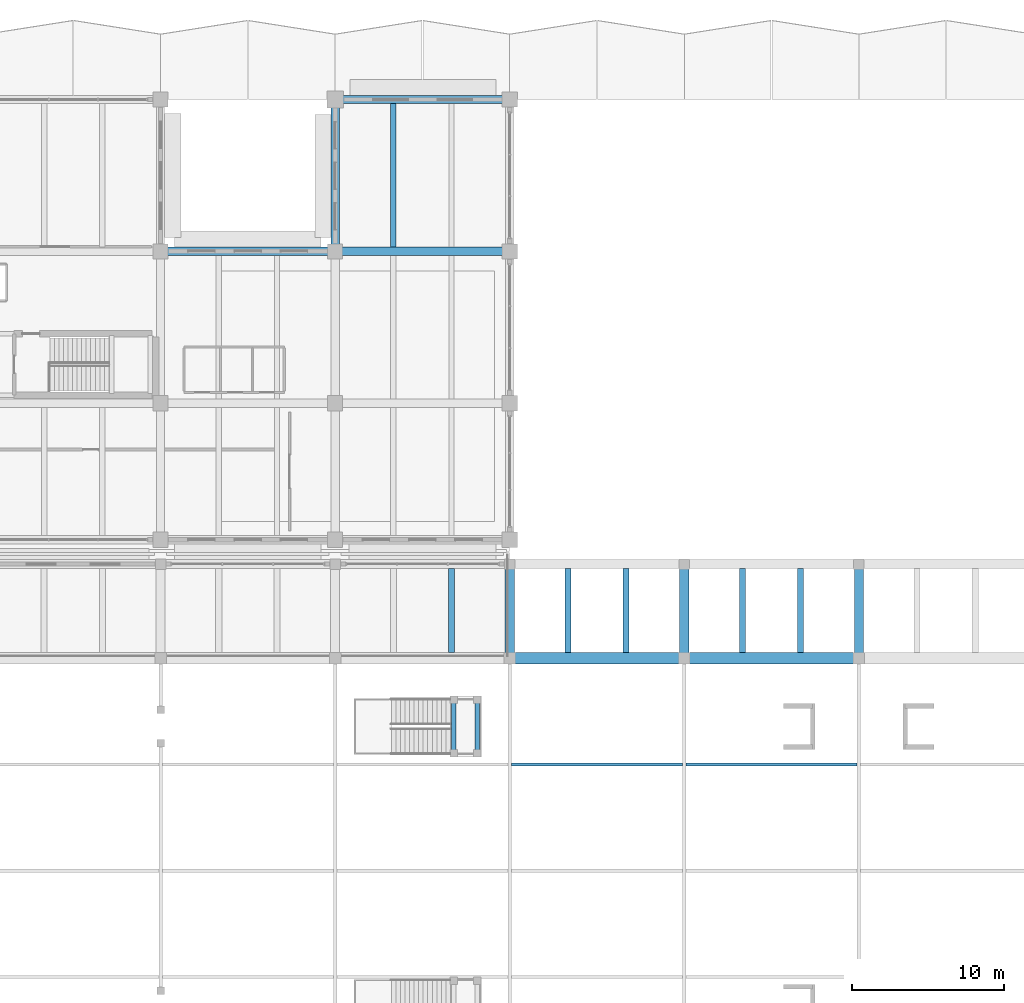
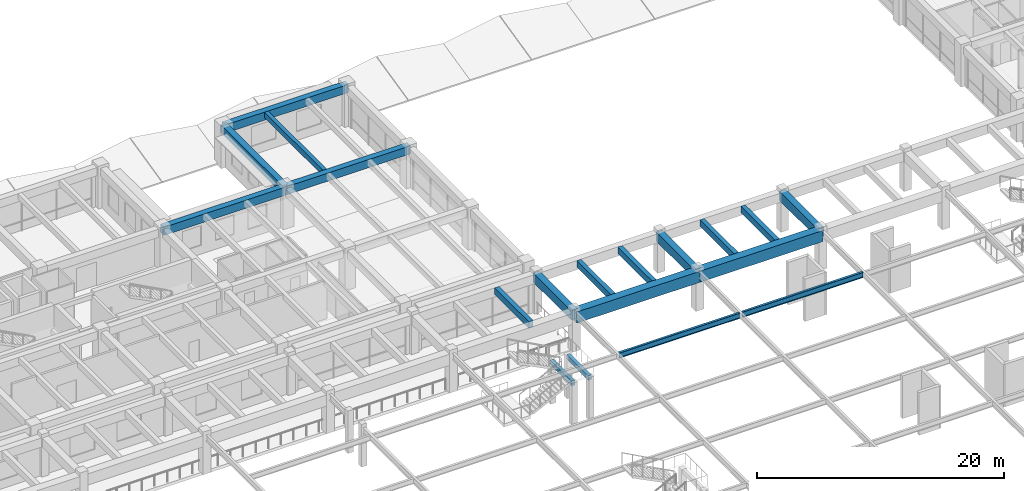
# One storey, part 30 of 98: 19 beams.
"""IFC4 building model written with IfcOpenShell, lengths in metres."""

from ifc_helpers import new_model, si_unit, direction, frame, origin, origin_2d, place, context, subcontext, project, spatial, rectangle, i_section, extrude, material, material_profile, profile_set, type_object, element, save


model = new_model("IFC4")

# Units and contexts
model_context = context("Model", 3, precision=1e-05, world=origin(), true_north=direction((0.0, 1.0)))
body_context = subcontext(model_context, "Body", "Model", "MODEL_VIEW")
ifc_project = project(units=[si_unit("LENGTHUNIT", "METRE"), si_unit("AREAUNIT", "SQUARE_METRE"), si_unit("VOLUMEUNIT", "CUBIC_METRE"), si_unit("PLANEANGLEUNIT", "RADIAN"), si_unit("MASSUNIT", "GRAM", prefix="KILO")], contexts=[model_context])

# Site, building, storey
site_placement = place(None, origin())
site = spatial("IfcSite", under=ifc_project, at=site_placement, CompositionType="ELEMENT")
building_placement = place(site_placement, origin())
building = spatial("IfcBuilding", under=site, at=building_placement, Name="Ologun Quay Terminus", CompositionType="ELEMENT")
storey_placement = place(building_placement, frame((0.0, 0.0, 4.199951171875)))
storey = spatial("IfcBuildingStorey", under=building, at=storey_placement, Name="L01", CompositionType="ELEMENT", Elevation=4.199951171875)

# Beams
ifc_material_1 = material(Name="Concrete C45/55", Category="concrete")
ifc_material_profile_1 = material_profile(ifc_material_1, rectangle(XDim=0.75, YDim=1.10009765625, at=origin_2d()), Name="RC 750x1100")
ifc_profile_set_1 = profile_set([ifc_material_profile_1], Name="Concrete C45/55")
beam_type_1 = type_object("IfcBeamType", Name="Concourse Primary Girder 750x1100", PredefinedType="BEAM", material=ifc_profile_set_1)
for number, where, z_axis, x_axis, name in (
    (1, (69.0, 78.0, 3.300048828125), (1.0, 0.0, 0.0), (0.0, 1.0, 0.0), "B2 Beam 7/F L01"),
    (2, (80.5, 78.0, 3.300048828125), (1.0, 0.0, 0.0), (0.0, 1.0, 0.0), "B2 Beam 8/F L01"),
):
    element("IfcBeam", number, at=place(storey_placement, frame(where, z_axis=z_axis, x_axis=x_axis)), inside=storey, type_object=beam_type_1, Name=name, PredefinedType="BEAM", context=body_context, shape_type="SweptSolid", body=[
        extrude(rectangle(XDim=0.75, YDim=1.10009765625, at=origin_2d()), origin(), (0.0, 0.0, 1.0), 11.5),
    ])
ifc_material_2 = material(Name="Steel S355", Category="steel")
ifc_material_profile_2 = material_profile(ifc_material_2, i_section(OverallWidth=0.209228515625, OverallDepth=0.533203125, WebThickness=0.010009765625, FlangeThickness=0.015625, at=origin_2d()), Name="UKB 533x210x92")
ifc_profile_set_2 = profile_set([ifc_material_profile_2], Name="Steel S355")
beam_type_2 = type_object("IfcBeamType", Name="Concourse Steel Secondary Beam UKB533", PredefinedType="BEAM", material=ifc_profile_set_2)
for number, where, z_axis, x_axis, name in (
    (3, (69.114013671875, 71.0, 3.58349609375), (1.0, 0.0, 0.0), (0.0, 1.0, 0.0), "SB2 Beam 7/E L01"),
    (4, (80.614013671875, 71.0, 3.58349609375), (1.0, 0.0, 0.0), (0.0, 1.0, 0.0), "SB2 Beam 8/E L01"),
):
    element("IfcBeam", number, at=place(storey_placement, frame(where, z_axis=z_axis, x_axis=x_axis)), inside=storey, type_object=beam_type_2, Name=name, PredefinedType="BEAM", context=body_context, shape_type="SweptSolid", body=[
        extrude(i_section(OverallWidth=0.209228515625, OverallDepth=0.533203125, WebThickness=0.010009765625, FlangeThickness=0.015625, at=origin_2d()), origin(), (0.0, 0.0, 1.0), 11.27197265625),
    ])
ifc_material_3 = material(Name="Concrete C40/50", Category="concrete")
ifc_material_profile_3 = material_profile(ifc_material_3, rectangle(XDim=0.300048828125, YDim=0.449951171875, at=origin_2d()), Name="RC 300x450")
ifc_profile_set_3 = profile_set([ifc_material_profile_3], Name="Concrete C40/50")
beam_type_3 = type_object("IfcBeamType", Name="Core Coupling Lintel Beam 300x450", PredefinedType="LINTEL", material=ifc_profile_set_3)
for number, where, z_axis, x_axis, name in (
    (5, (65.300048828125, 71.75, 1.695068359375), (0.0, 1.0, 0.0), (-1.0, 0.0, 0.0), "LN1 Beam 6/F L01"),
    (6, (66.85009765625, 71.75, 1.695068359375), (0.0, 1.0, 0.0), (-1.0, 0.0, 0.0), "LN1 Beam 6/F L01"),
):
    element("IfcBeam", number, at=place(storey_placement, frame(where, z_axis=z_axis, x_axis=x_axis)), inside=storey, type_object=beam_type_3, Name=name, PredefinedType="LINTEL", context=body_context, shape_type="SweptSolid", body=[
        extrude(rectangle(XDim=0.300048828125, YDim=0.449951171875, at=origin_2d()), origin(), (0.0, 0.0, 1.0), 3.5),
    ])
ifc_material_4 = material(Name="Concrete C40/50", Category="concrete")
ifc_material_profile_4 = material_profile(ifc_material_4, rectangle(XDim=0.550048828125, YDim=0.800048828125, at=origin_2d()), Name="RC 550x800")
ifc_profile_set_4 = profile_set([ifc_material_profile_4], Name="Concrete C40/50")
beam_type_4 = type_object("IfcBeamType", Name="Courtyard Wing Primary Girder 550x800", PredefinedType="BEAM", material=ifc_profile_set_4)
for number, where, z_axis, x_axis, name in (
    (7, (46.0, 104.800048828125, 3.550048828125), (1.0, 0.0, 0.0), (0.0, 1.0, 0.0), "B4 Beam 5/J L01"),
    (8, (57.5, 104.800048828125, 3.550048828125), (1.0, 0.0, 0.0), (0.0, 1.0, 0.0), "B4 Beam 6/J L01"),
    (9, (57.5, 114.800048828125, 3.550048828125), (1.0, 0.0, 0.0), (0.0, 1.0, 0.0), "B4 Beam 6/K L01"),
):
    element("IfcBeam", number, at=place(storey_placement, frame(where, z_axis=z_axis, x_axis=x_axis)), inside=storey, type_object=beam_type_4, Name=name, PredefinedType="BEAM", context=body_context, shape_type="SweptSolid", body=[
        extrude(rectangle(XDim=0.550048828125, YDim=0.800048828125, at=origin_2d()), origin(), (0.0, 0.0, 1.0), 11.5),
    ])
beam_1_placement = place(storey_placement, frame((57.5, 104.800048828125, 3.550048828125), z_axis=(0.0, 1.0, 0.0), x_axis=(-1.0, 0.0, 0.0)))
element("IfcBeam", 10, at=beam_1_placement, inside=storey, type_object=beam_type_4, Name="B4 Beam 6/J L01", PredefinedType="BEAM", context=body_context, shape_type="SweptSolid", body=[
    extrude(rectangle(XDim=0.550048828125, YDim=0.800048828125, at=origin_2d()), origin(), (0.0, 0.0, 1.0), 10.0),
])
ifc_material_5 = material(Name="Concrete C40/50", Category="concrete")
ifc_material_profile_5 = material_profile(ifc_material_5, rectangle(XDim=0.35009765625, YDim=0.550048828125, at=origin_2d()), Name="RC 350x550")
ifc_profile_set_5 = profile_set([ifc_material_profile_5], Name="Concrete C40/50")
beam_type_5 = type_object("IfcBeamType", Name="Courtyard Wing Secondary Joist 350x550", PredefinedType="JOIST", material=ifc_profile_set_5)
beam_2_placement = place(storey_placement, frame((61.333251953125, 105.074951171875, 3.675048828125), z_axis=(0.0, 1.0, 0.0), x_axis=(-1.0, 0.0, 0.0)))
element("IfcBeam", 11, at=beam_2_placement, inside=storey, type_object=beam_type_5, Name="J2 Beam 6/J L01", PredefinedType="JOIST", context=body_context, shape_type="SweptSolid", body=[
    extrude(rectangle(XDim=0.35009765625, YDim=0.550048828125, at=origin_2d()), origin(), (0.0, 0.0, 1.0), 9.449951171875),
])
ifc_material_6 = material(Name="Concrete C40/50", Category="concrete")
ifc_material_profile_6 = material_profile(ifc_material_6, rectangle(XDim=0.60009765625, YDim=0.89990234375, at=origin_2d()), Name="RC 600x900")
ifc_profile_set_6 = profile_set([ifc_material_profile_6], Name="Concrete C40/50")
beam_type_6 = type_object("IfcBeamType", Name="Station Frame Girder 600x900", PredefinedType="BEAM", material=ifc_profile_set_6)
for number, where, z_axis, x_axis, name in (
    (12, (69.0, 78.0, 3.400146484375), (0.0, 1.0, 0.0), (-1.0, 0.0, 0.0), "B3 Beam 7/F L01"),
    (13, (80.5, 78.0, 3.400146484375), (0.0, 1.0, 0.0), (-1.0, 0.0, 0.0), "B3 Beam 8/F L01"),
    (14, (92.0, 78.0, 3.400146484375), (0.0, 1.0, 0.0), (-1.0, 0.0, 0.0), "B3 Beam 9/F L01"),
):
    element("IfcBeam", number, at=place(storey_placement, frame(where, z_axis=z_axis, x_axis=x_axis)), inside=storey, type_object=beam_type_6, Name=name, PredefinedType="BEAM", context=body_context, shape_type="SweptSolid", body=[
        extrude(rectangle(XDim=0.60009765625, YDim=0.89990234375, at=origin_2d()), origin(), (0.0, 0.0, 1.0), 6.199951171875),
    ])
ifc_material_7 = material(Name="Concrete C40/50", Category="concrete")
ifc_material_profile_7 = material_profile(ifc_material_7, rectangle(XDim=0.39990234375, YDim=0.64990234375, at=origin_2d()), Name="RC 400x650")
ifc_profile_set_7 = profile_set([ifc_material_profile_7], Name="Concrete C40/50")
beam_type_7 = type_object("IfcBeamType", Name="Station Secondary Joist 400x650", PredefinedType="JOIST", material=ifc_profile_set_7)
for number, where, z_axis, x_axis, name in (
    (15, (65.166748046875, 78.375, 3.525146484375), (0.0, 1.0, 0.0), (-1.0, 0.0, 0.0), "J1 Beam 6/F L01"),
    (16, (72.833251953125, 78.375, 3.525146484375), (0.0, 1.0, 0.0), (-1.0, 0.0, 0.0), "J1 Beam 7/F L01"),
    (17, (76.666748046875, 78.375, 3.525146484375), (0.0, 1.0, 0.0), (-1.0, 0.0, 0.0), "J1 Beam 7/F L01"),
    (18, (84.333251953125, 78.375, 3.525146484375), (0.0, 1.0, 0.0), (-1.0, 0.0, 0.0), "J1 Beam 8/F L01"),
    (19, (88.166748046875, 78.375, 3.525146484375), (0.0, 1.0, 0.0), (-1.0, 0.0, 0.0), "J1 Beam 8/F L01"),
):
    element("IfcBeam", number, at=place(storey_placement, frame(where, z_axis=z_axis, x_axis=x_axis)), inside=storey, type_object=beam_type_7, Name=name, PredefinedType="JOIST", context=body_context, shape_type="SweptSolid", body=[
        extrude(rectangle(XDim=0.39990234375, YDim=0.64990234375, at=origin_2d()), origin(), (0.0, 0.0, 1.0), 5.52490234375),
    ])

save(model, "model.ifc")
